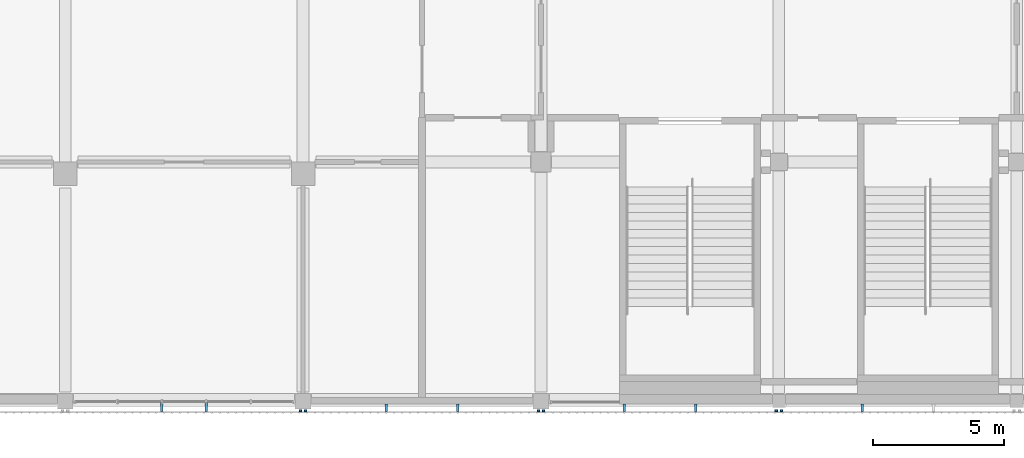
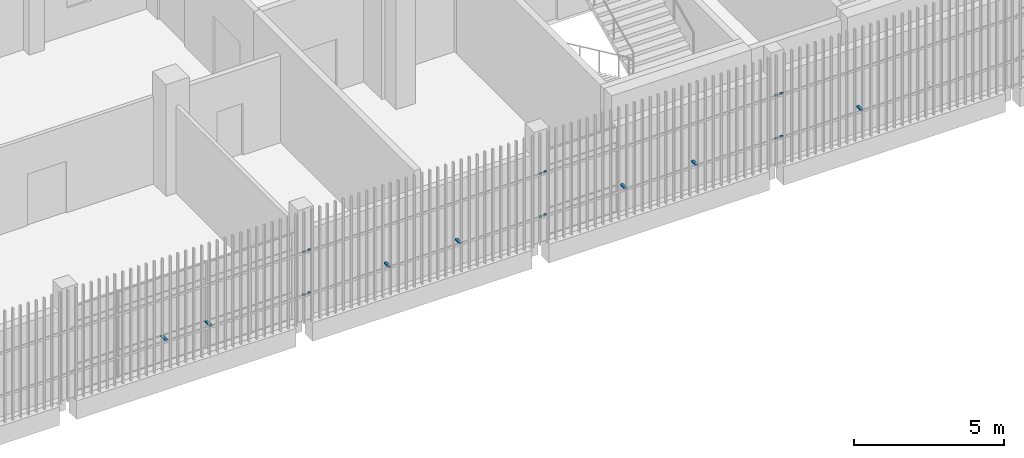
# One storey, part 77 of 104: 19 discrete accessories.
"""IFC4 building model written with IfcOpenShell, lengths in metres."""

from ifc_helpers import new_model, si_unit, direction, frame, origin, origin_2d, place, context, subcontext, project, spatial, rectangle, extrude, material, type_object, element, save


model = new_model("IFC4")

# Units and contexts
model_context = context("Model", 3, precision=1e-05, world=origin(), true_north=direction((0.0, 1.0)))
body_context = subcontext(model_context, "Body", "Model", "MODEL_VIEW")
ifc_project = project(units=[si_unit("LENGTHUNIT", "METRE"), si_unit("AREAUNIT", "SQUARE_METRE"), si_unit("VOLUMEUNIT", "CUBIC_METRE"), si_unit("PLANEANGLEUNIT", "RADIAN"), si_unit("MASSUNIT", "GRAM", prefix="KILO")], contexts=[model_context])

# Site, building, storey
site_placement = place(None, origin())
site = spatial("IfcSite", under=ifc_project, at=site_placement, CompositionType="ELEMENT")
building_placement = place(site_placement, origin())
building = spatial("IfcBuilding", under=site, at=building_placement, Name="Shirokan Park Arena", CompositionType="ELEMENT")
storey_placement = place(building_placement, frame((0.0, 0.0, 10.919921875)))
storey = spatial("IfcBuildingStorey", under=building, at=storey_placement, Name="L02", CompositionType="ELEMENT", Elevation=10.919921875)

# Discrete accessories
ifc_material = material(Name="Steel S355", Category="steel")
discrete_accessory_type = type_object("IfcDiscreteAccessoryType", Name="Veil bracket 100x60", PredefinedType="BRACKET", material=ifc_material)
for number, where, z_axis, x_axis, name in (
    (1, (100.0, -0.409912109375, 1.070068359375), (0.0, 0.0, 1.0), (1.0, 0.0, 0.0), "Veil bracket south bay 11 L02 2"),
    (2, (100.0, -0.409912109375, 2.820068359375), (0.0, 0.0, 1.0), (1.0, 0.0, 0.0), "Veil bracket south bay 11 L02 4"),
):
    element("IfcDiscreteAccessory", number, at=place(storey_placement, frame(where, z_axis=z_axis, x_axis=x_axis)), inside=storey, type_object=discrete_accessory_type, Name=name, PredefinedType="BRACKET", context=body_context, shape_type="SweptSolid", body=[
        extrude(rectangle(XDim=0.10009765625, YDim=0.070068359375, at=origin_2d()), origin(), (0.0, 0.0, 1.0), 0.06005859375),
    ])
for number, where, z_axis, x_axis, name in (
    (3, (94.699951171875, -0.2724609375, 1.070068359375), (0.0, 0.0, 1.0), (1.0, 0.0, 0.0), "Veil bracket south bay 11 L02 wall 1"),
    (4, (96.39990234375, -0.2724609375, 1.070068359375), (0.0, 0.0, 1.0), (1.0, 0.0, 0.0), "Veil bracket south bay 11 L02 wall 2"),
):
    element("IfcDiscreteAccessory", number, at=place(storey_placement, frame(where, z_axis=z_axis, x_axis=x_axis)), inside=storey, type_object=discrete_accessory_type, Name=name, PredefinedType="BRACKET", context=body_context, shape_type="SweptSolid", body=[
        extrude(rectangle(XDim=0.10009765625, YDim=0.344970703125, at=origin_2d()), origin(), (0.0, 0.0, 1.0), 0.06005859375),
    ])
for number, where, z_axis, x_axis, name in (
    (5, (100.199951171875, -0.409912109375, 1.070068359375), (0.0, 0.0, 1.0), (1.0, 0.0, 0.0), "Veil bracket south bay 12 L02 1"),
    (6, (109.10009765625, -0.409912109375, 1.070068359375), (0.0, 0.0, 1.0), (1.0, 0.0, 0.0), "Veil bracket south bay 12 L02 2"),
    (7, (100.199951171875, -0.409912109375, 2.820068359375), (0.0, 0.0, 1.0), (1.0, 0.0, 0.0), "Veil bracket south bay 12 L02 3"),
    (8, (109.10009765625, -0.409912109375, 2.820068359375), (0.0, 0.0, 1.0), (1.0, 0.0, 0.0), "Veil bracket south bay 12 L02 4"),
):
    element("IfcDiscreteAccessory", number, at=place(storey_placement, frame(where, z_axis=z_axis, x_axis=x_axis)), inside=storey, type_object=discrete_accessory_type, Name=name, PredefinedType="BRACKET", context=body_context, shape_type="SweptSolid", body=[
        extrude(rectangle(XDim=0.10009765625, YDim=0.070068359375, at=origin_2d()), origin(), (0.0, 0.0, 1.0), 0.06005859375),
    ])
for number, where, z_axis, x_axis, name in (
    (9, (103.284912109375, -0.297607421875, 1.070068359375), (0.0, 0.0, 1.0), (1.0, 0.0, 0.0), "Veil bracket south bay 12 L02 wall 1"),
    (10, (106.014892578125, -0.297607421875, 1.070068359375), (0.0, 0.0, 1.0), (1.0, 0.0, 0.0), "Veil bracket south bay 12 L02 wall 2"),
):
    element("IfcDiscreteAccessory", number, at=place(storey_placement, frame(where, z_axis=z_axis, x_axis=x_axis)), inside=storey, type_object=discrete_accessory_type, Name=name, PredefinedType="BRACKET", context=body_context, shape_type="SweptSolid", body=[
        extrude(rectangle(XDim=0.10009765625, YDim=0.294921875, at=origin_2d()), origin(), (0.0, 0.0, 1.0), 0.06005859375),
    ])
for number, where, z_axis, x_axis, name in (
    (11, (109.300048828125, -0.409912109375, 1.070068359375), (0.0, 0.0, 1.0), (1.0, 0.0, 0.0), "Veil bracket south bay 13 L02 1"),
    (12, (118.199951171875, -0.409912109375, 1.070068359375), (0.0, 0.0, 1.0), (1.0, 0.0, 0.0), "Veil bracket south bay 13 L02 2"),
    (13, (109.300048828125, -0.409912109375, 2.820068359375), (0.0, 0.0, 1.0), (1.0, 0.0, 0.0), "Veil bracket south bay 13 L02 3"),
    (14, (118.199951171875, -0.409912109375, 2.820068359375), (0.0, 0.0, 1.0), (1.0, 0.0, 0.0), "Veil bracket south bay 13 L02 4"),
):
    element("IfcDiscreteAccessory", number, at=place(storey_placement, frame(where, z_axis=z_axis, x_axis=x_axis)), inside=storey, type_object=discrete_accessory_type, Name=name, PredefinedType="BRACKET", context=body_context, shape_type="SweptSolid", body=[
        extrude(rectangle(XDim=0.10009765625, YDim=0.070068359375, at=origin_2d()), origin(), (0.0, 0.0, 1.0), 0.06005859375),
    ])
for number, where, z_axis, x_axis, name in (
    (15, (112.385009765625, -0.297607421875, 1.070068359375), (0.0, 0.0, 1.0), (1.0, 0.0, 0.0), "Veil bracket south bay 13 L02 wall 1"),
    (16, (115.114990234375, -0.297607421875, 1.070068359375), (0.0, 0.0, 1.0), (1.0, 0.0, 0.0), "Veil bracket south bay 13 L02 wall 2"),
):
    element("IfcDiscreteAccessory", number, at=place(storey_placement, frame(where, z_axis=z_axis, x_axis=x_axis)), inside=storey, type_object=discrete_accessory_type, Name=name, PredefinedType="BRACKET", context=body_context, shape_type="SweptSolid", body=[
        extrude(rectangle(XDim=0.10009765625, YDim=0.294921875, at=origin_2d()), origin(), (0.0, 0.0, 1.0), 0.06005859375),
    ])
for number, where, z_axis, x_axis, name in (
    (17, (118.39990234375, -0.409912109375, 1.070068359375), (0.0, 0.0, 1.0), (1.0, 0.0, 0.0), "Veil bracket south bay 14 L02 1"),
    (18, (118.39990234375, -0.409912109375, 2.820068359375), (0.0, 0.0, 1.0), (1.0, 0.0, 0.0), "Veil bracket south bay 14 L02 3"),
):
    element("IfcDiscreteAccessory", number, at=place(storey_placement, frame(where, z_axis=z_axis, x_axis=x_axis)), inside=storey, type_object=discrete_accessory_type, Name=name, PredefinedType="BRACKET", context=body_context, shape_type="SweptSolid", body=[
        extrude(rectangle(XDim=0.10009765625, YDim=0.070068359375, at=origin_2d()), origin(), (0.0, 0.0, 1.0), 0.06005859375),
    ])
discrete_accessory_placement = place(storey_placement, frame((121.485107421875, -0.297607421875, 1.070068359375), z_axis=(0.0, 0.0, 1.0), x_axis=(1.0, 0.0, 0.0)))
element("IfcDiscreteAccessory", 19, at=discrete_accessory_placement, inside=storey, type_object=discrete_accessory_type, Name="Veil bracket south bay 14 L02 wall 1", PredefinedType="BRACKET", context=body_context, shape_type="SweptSolid", body=[
    extrude(rectangle(XDim=0.10009765625, YDim=0.294921875, at=origin_2d()), origin(), (0.0, 0.0, 1.0), 0.06005859375),
])

save(model, "model.ifc")
